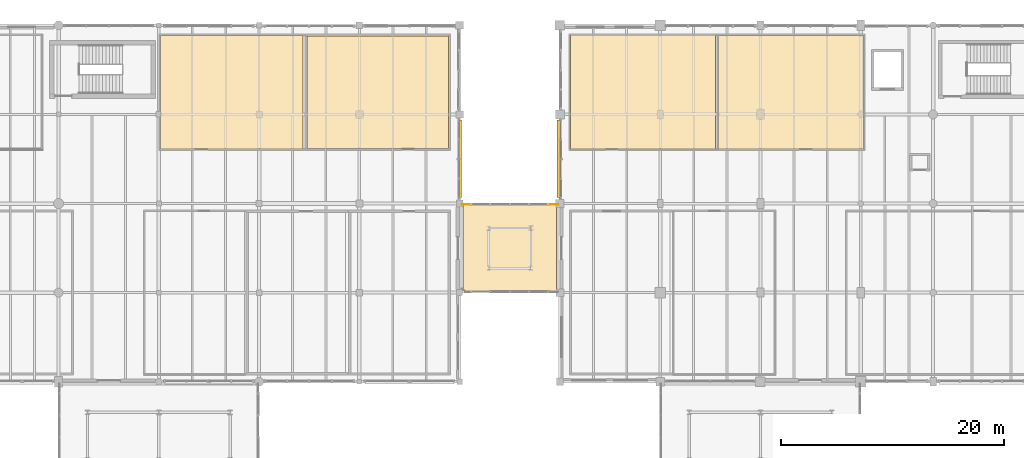
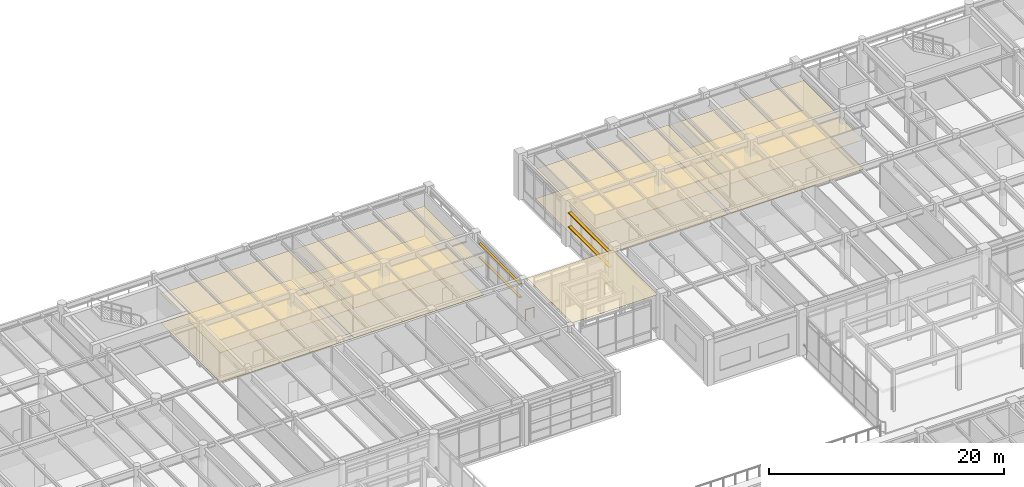
# One storey, part 197 of 200: 9 coverings, 4 shading devices, 2 railings.
"""IFC4 building model written with IfcOpenShell, lengths in metres."""

from ifc_helpers import new_model, si_unit, direction, frame, origin, origin_2d, place, context, subcontext, project, spatial, polyline, rectangle, circle, outline, extrude, material, layer, layer_set, type_object, element, save


model = new_model("IFC4")

# Units and contexts
model_context = context("Model", 3, precision=1e-05, world=origin(), true_north=direction((0.0, 1.0)))
body_context = subcontext(model_context, "Body", "Model", "MODEL_VIEW")
ifc_project = project(units=[si_unit("LENGTHUNIT", "METRE"), si_unit("AREAUNIT", "SQUARE_METRE"), si_unit("VOLUMEUNIT", "CUBIC_METRE"), si_unit("PLANEANGLEUNIT", "RADIAN"), si_unit("MASSUNIT", "GRAM", prefix="KILO"), si_unit("THERMODYNAMICTEMPERATUREUNIT", "KELVIN"), si_unit("POWERUNIT", "WATT")], contexts=[model_context])

# Site, building, storey
site_placement = place(None, origin())
site = spatial("IfcSite", under=ifc_project, at=site_placement, CompositionType="ELEMENT")
building_placement = place(site_placement, origin())
building = spatial("IfcBuilding", under=site, at=building_placement, Name="Tepalcoro Natatorium and Aquatics Centre", CompositionType="ELEMENT")
storey_placement = place(building_placement, frame((0.0, 0.0, 5.39990234375)))
storey = spatial("IfcBuildingStorey", under=building, at=storey_placement, Name="L01", CompositionType="ELEMENT", Elevation=5.39990234375)

# Coverings
ifc_material_1 = material(Name="Perforated Corrosion-Resistant Acoustic Aluminium Baffle Ceiling", Category="aluminium")
ifc_layer_1 = layer(ifc_material_1, 0.044921875)
ifc_layer_set_1 = layer_set([ifc_layer_1], Name="Perforated Corrosion-Resistant Acoustic Aluminium Baffle Ceiling")
covering_type_1 = type_object("IfcCoveringType", Name="CL_BAFFLE_120", PredefinedType="CEILING", material=ifc_layer_set_1)
covering_1_placement = place(storey_placement, frame((0.0, 0.0, 3.050048828125)))
element("IfcCovering", 1, at=covering_1_placement, inside=storey, type_object=covering_type_1, Name="Gym Equipment & Testing Store Suspended Ceiling", PredefinedType="CEILING", context=body_context, shape_type="SweptSolid", body=[
    extrude(outline(polyline([(75.280029296875, 106.93994140625), (75.280029296875, 117.06005859375), (88.02001953125, 117.06005859375), (88.02001953125, 106.93994140625), (75.280029296875, 106.93994140625)])), origin(), (0.0, 0.0, 1.0), 0.045166015625),
])
covering_2_placement = place(storey_placement, frame((0.0, 0.0, 3.050048828125)))
element("IfcCovering", 2, at=covering_2_placement, inside=storey, type_object=covering_type_1, Name="Event Organising Committee Operations Hub Suspended Ceiling", PredefinedType="CEILING", context=body_context, shape_type="SweptSolid", body=[
    extrude(outline(polyline([(98.929931640625, 106.889892578125), (98.929931640625, 117.110107421875), (111.969970703125, 117.110107421875), (111.969970703125, 106.889892578125), (98.929931640625, 106.889892578125)])), origin(), (0.0, 0.0, 1.0), 0.045166015625),
])
ifc_material_2 = material(Name="Moisture-Resistant Acoustic Gypsum Drywall on Cold-Formed Metal Studs")
ifc_layer_2 = layer(ifc_material_2, 0.030029296875)
ifc_layer_set_2 = layer_set([ifc_layer_2], Name="Moisture-Resistant Acoustic Gypsum Drywall on Cold-Formed Metal Studs")
covering_type_2 = type_object("IfcCoveringType", Name="CL_GYPSUM_30", PredefinedType="CEILING", material=ifc_layer_set_2)
covering_3_placement = place(storey_placement, frame((0.0, 0.0, 3.050048828125)))
element("IfcCovering", 3, at=covering_3_placement, inside=storey, type_object=covering_type_2, Name="Media Catering Pantry & Lounge Suspended Ceiling", PredefinedType="CEILING", context=body_context, shape_type="SweptSolid", body=[
    extrude(outline(polyline([(112.2548828125, 106.9150390625), (112.2548828125, 117.0849609375), (125.2451171875, 117.0849609375), (125.2451171875, 106.9150390625), (112.2548828125, 106.9150390625)])), origin(), (0.0, 0.0, 1.0), 0.030029296875),
])
ifc_layer_3 = layer(ifc_material_1, 0.0400390625)
ifc_layer_set_3 = layer_set([ifc_layer_3], Name="Perforated Corrosion-Resistant Acoustic Aluminium Baffle Ceiling")
covering_type_3 = type_object("IfcCoveringType", Name="CL_PERF_AL_40", PredefinedType="CEILING", material=ifc_layer_set_3)
covering_4_placement = place(storey_placement, frame((0.0, 0.0, 3.050048828125)))
element("IfcCovering", 4, at=covering_4_placement, inside=storey, type_object=covering_type_3, Name="National Swim Federation Coaching Suite Suspended Ceiling", PredefinedType="CEILING", context=body_context, shape_type="SweptSolid", body=[
    extrude(outline(polyline([(62.155029296875, 106.9150390625), (62.155029296875, 117.0849609375), (74.945068359375, 117.0849609375), (74.945068359375, 106.9150390625), (62.155029296875, 106.9150390625)])), origin(), (0.0, 0.0, 1.0), 0.0400390625),
])
ifc_material_3 = material(Name="Slip-Resistant Porcelain Aquatic Deck Tile")
ifc_layer_4 = layer(ifc_material_3, 0.02197265625)
ifc_layer_set_4 = layer_set([ifc_layer_4], Name="Slip-Resistant Porcelain Aquatic Deck Tile")
covering_type_4 = type_object("IfcCoveringType", Name="FL_DECK_TILE_22", PredefinedType="FLOORING", material=ifc_layer_set_4)
covering_5_placement = place(storey_placement, origin())
element("IfcCovering", 5, at=covering_5_placement, inside=storey, type_object=covering_type_4, Name="Gym Equipment & Testing Store Floor Finish", PredefinedType="FLOORING", context=body_context, shape_type="SweptSolid", body=[
    extrude(outline(polyline([(75.280029296875, 106.93994140625), (75.280029296875, 117.06005859375), (88.02001953125, 117.06005859375), (88.02001953125, 106.93994140625), (75.280029296875, 106.93994140625)])), origin(), (0.0, 0.0, 1.0), 0.022216796875),
])
covering_6_placement = place(storey_placement, origin())
element("IfcCovering", 6, at=covering_6_placement, inside=storey, type_object=covering_type_4, Name="Media Catering Pantry & Lounge Floor Finish", PredefinedType="FLOORING", context=body_context, shape_type="SweptSolid", body=[
    extrude(outline(polyline([(112.2548828125, 106.9150390625), (112.2548828125, 117.0849609375), (125.2451171875, 117.0849609375), (125.2451171875, 106.9150390625), (112.2548828125, 106.9150390625)])), origin(), (0.0, 0.0, 1.0), 0.022216796875),
])
ifc_layer_5 = layer(ifc_material_3, 0.01806640625)
ifc_layer_set_5 = layer_set([ifc_layer_5], Name="Slip-Resistant Porcelain Aquatic Deck Tile")
covering_type_5 = type_object("IfcCoveringType", Name="FL_TILE_18", PredefinedType="FLOORING", material=ifc_layer_set_5)
covering_7_placement = place(storey_placement, origin())
element("IfcCovering", 7, at=covering_7_placement, inside=storey, type_object=covering_type_5, Name="National Swim Federation Coaching Suite Floor Finish", PredefinedType="FLOORING", context=body_context, shape_type="SweptSolid", body=[
    extrude(outline(polyline([(62.155029296875, 106.9150390625), (62.155029296875, 117.0849609375), (74.945068359375, 117.0849609375), (74.945068359375, 106.9150390625), (62.155029296875, 106.9150390625)])), origin(), (0.0, 0.0, 1.0), 0.01806640625),
])
covering_8_placement = place(storey_placement, origin())
element("IfcCovering", 8, at=covering_8_placement, inside=storey, type_object=covering_type_5, Name="Event Organising Committee Operations Hub Floor Finish", PredefinedType="FLOORING", context=body_context, shape_type="SweptSolid", body=[
    extrude(outline(polyline([(98.929931640625, 106.889892578125), (98.929931640625, 117.110107421875), (111.969970703125, 117.110107421875), (111.969970703125, 106.889892578125), (98.929931640625, 106.889892578125)])), origin(), (0.0, 0.0, 1.0), 0.01806640625),
])
ifc_material_4 = material(Name="Insulated Thermoplastic Polyolefin Standing-Seam Roof Assembly")
ifc_layer_6 = layer(ifc_material_4, 0.0029296875)
ifc_layer_set_6 = layer_set([ifc_layer_6], Name="Insulated Thermoplastic Polyolefin Standing-Seam Roof Assembly")
covering_type_6 = type_object("IfcCoveringType", Name="MEM_TPO_3", PredefinedType="MEMBRANE", material=ifc_layer_set_6)
covering_9_placement = place(storey_placement, frame((0.0, 0.0, 4.400146484375)))
element("IfcCovering", 9, at=covering_9_placement, inside=storey, type_object=covering_type_6, Name="North Spine Seismic Link Roof Waterproofing Membrane", PredefinedType="MEMBRANE", context=body_context, shape_type="SweptSolid", body=[
    extrude(outline(polyline([(89.300048828125, 94.14990234375), (97.699951171875, 94.14990234375), (97.699951171875, 101.85009765625), (89.300048828125, 101.85009765625), (89.300048828125, 94.14990234375)])), origin(), (0.0, 0.0, 1.0), 0.0029296875),
])

# Railings
ifc_material_5 = material(Name="Marine-Grade Brushed Stainless Steel AISI 316L", Category="steel")
railing_type = type_object("IfcRailingType", Name="RL_GLASS_1100", PredefinedType="GUARDRAIL", material=ifc_material_5)
for number, where, name in (
    (10, (89.18994140625, 101.919921875, 0.0), "North Spine Seismic Link L01 Seismic Joint Edge Guard NW"),
    (11, (96.949951171875, 101.919921875, 0.0), "North Spine Seismic Link L01 Seismic Joint Edge Guard NE"),
):
    element("IfcRailing", number, at=place(storey_placement, frame(where)), inside=storey, type_object=railing_type, Name=name, PredefinedType="GUARDRAIL", context=body_context, shape_type="SweptSolid", body=[
        extrude(circle(Radius=0.02392578125, at=origin_2d()), frame((0.0, 0.0, 1.09619140625), z_axis=(1.0, 0.0, 0.0), x_axis=(0.0, 1.0, 0.0)), (0.0, 0.0, 1.0), 0.860107421875),
        extrude(circle(Radius=0.02099609375, at=origin_2d()), origin(), (0.0, 0.0, 1.0), 1.072021484375),
        extrude(circle(Radius=0.02099609375, at=origin_2d()), frame((0.860107421875, 0.0, 0.0)), (0.0, 0.0, 1.0), 1.072021484375),
    ])

# Shading devices
ifc_material_6 = material(Name="Bronze-Anodised Extruded Aluminium Alloy EN AW-6063 T6", Category="aluminium")
shading_device_type_1 = type_object("IfcShadingDeviceType", Name="SHD_FIN_BRONZE", PredefinedType="SHUTTER", material=ifc_material_6)
for number, where, z_axis, x_axis, name in (
    (12, (97.90625, 106.0, 2.087646484375), (0.0, 0.0, 1.0), (1.0, 0.0, 0.0), "Solar Shading Brise-Soleil SHD_FIN_BRONZE"),
    (13, (97.90625, 106.0, 3.527099609375), (0.0, 0.0, 1.0), (1.0, 0.0, 0.0), "Solar Shading Brise-Soleil SHD_FIN_BRONZE"),
):
    element("IfcShadingDevice", number, at=place(storey_placement, frame(where, z_axis=z_axis, x_axis=x_axis)), inside=storey, type_object=shading_device_type_1, Name=name, PredefinedType="SHUTTER", context=body_context, shape_type="SweptSolid", body=[
        extrude(rectangle(XDim=0.300048828125, YDim=6.9599609375, at=origin_2d()), origin(), (0.0, 0.0, 1.0), 0.080078125),
    ])
shading_device_type_2 = type_object("IfcShadingDeviceType", Name="SHD_LOUVRE_AL", PredefinedType="JALOUSIE", material=ifc_material_6)
for number, where, z_axis, x_axis, name in (
    (14, (89.063720703125, 106.0, 2.03955078125), (0.0, 0.0, 1.0), (1.0, 0.0, 0.0), "Solar Shading Brise-Soleil SHD_LOUVRE_AL"),
    (15, (89.063720703125, 106.0, 3.420166015625), (0.0, 0.0, 1.0), (1.0, 0.0, 0.0), "Solar Shading Brise-Soleil SHD_LOUVRE_AL"),
):
    element("IfcShadingDevice", number, at=place(storey_placement, frame(where, z_axis=z_axis, x_axis=x_axis)), inside=storey, type_object=shading_device_type_2, Name=name, PredefinedType="JALOUSIE", context=body_context, shape_type="SweptSolid", body=[
        extrude(rectangle(XDim=0.239990234375, YDim=6.9599609375, at=origin_2d()), origin(), (0.0, 0.0, 1.0), 0.080078125),
    ])

save(model, "model.ifc")
